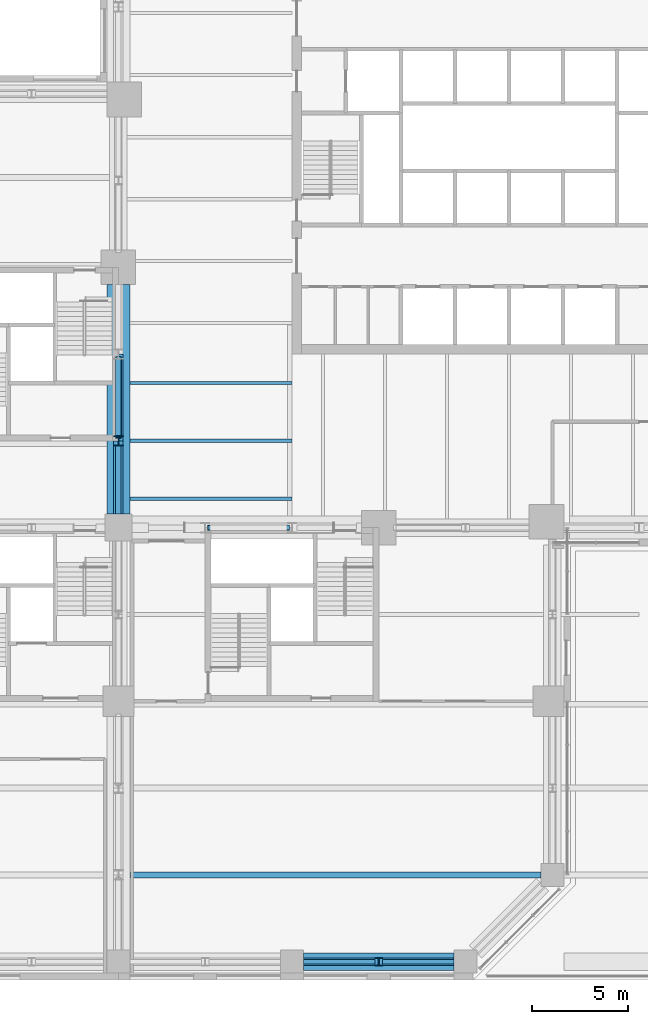
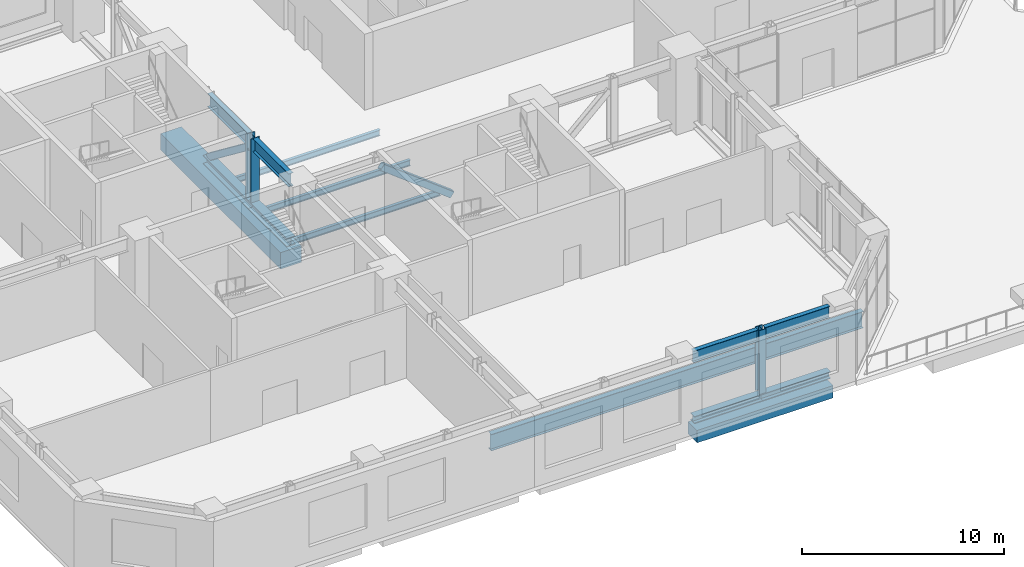
# One storey, part 3 of 21: 10 beams, 8 members.
"""IFC4 building model written with IfcOpenShell, lengths in metres."""

from ifc_helpers import new_model, si_unit, direction, frame, origin, origin_2d, place, context, subcontext, project, spatial, rectangle, hollow_rectangle, i_section, extrude, material, material_profile, profile_set, type_object, element, save


model = new_model("IFC4")

# Units and contexts
model_context = context("Model", 3, precision=1e-05, world=origin(), true_north=direction((0.0, 1.0)))
body_context = subcontext(model_context, "Body", "Model", "MODEL_VIEW")
ifc_project = project(units=[si_unit("LENGTHUNIT", "METRE"), si_unit("AREAUNIT", "SQUARE_METRE"), si_unit("VOLUMEUNIT", "CUBIC_METRE"), si_unit("PLANEANGLEUNIT", "RADIAN"), si_unit("MASSUNIT", "GRAM", prefix="KILO")], contexts=[model_context])

# Site, building, storey
site_placement = place(None, origin())
site = spatial("IfcSite", under=ifc_project, at=site_placement, CompositionType="ELEMENT")
building_placement = place(site_placement, origin())
building = spatial("IfcBuilding", under=site, at=building_placement, Name="Quoin Convention Tower", CompositionType="ELEMENT")
storey_placement = place(building_placement, frame((0.0, 0.0, 18.5)))
storey = spatial("IfcBuildingStorey", under=building, at=storey_placement, Name="L03", CompositionType="ELEMENT", Elevation=18.5)

# Beams
ifc_material_1 = material(Name="Steel Grade 300", Category="steel")
ifc_material_profile_1 = material_profile(ifc_material_1, i_section(OverallWidth=0.300048828125, OverallDepth=1.0, WebThickness=0.01611328125, FlangeThickness=0.02001953125, at=origin_2d()), Name="1000WB215")
ifc_profile_set_1 = profile_set([ifc_material_profile_1], Name="Steel Grade 300")
beam_type_1 = type_object("IfcBeamType", Name="1000WB215", PredefinedType="BEAM", material=ifc_profile_set_1)
beam_1_placement = place(storey_placement, frame((36.60009765625, 22.5, -0.719970703125), z_axis=(1.0, 0.0, 0.0), x_axis=(0.0, 1.0, 0.0)))
element("IfcBeam", 1, at=beam_1_placement, inside=storey, type_object=beam_type_1, Name="gir-L03-ST3-1-0", PredefinedType="BEAM", context=body_context, shape_type="SweptSolid", body=[
    extrude(i_section(OverallWidth=0.300048828125, OverallDepth=1.0, WebThickness=0.01611328125, FlangeThickness=0.02001953125, at=origin_2d()), origin(), (0.0, 0.0, 1.0), 21.2998046875),
])
ifc_material_profile_2 = material_profile(ifc_material_1, i_section(OverallWidth=0.1708984375, OverallDepth=0.35205078125, WebThickness=0.0068359375, FlangeThickness=0.009765625, FilletRadius=0.011474609375, at=origin_2d()), Name="360UB44.7")
ifc_profile_set_2 = profile_set([ifc_material_profile_2], Name="Steel Grade 300")
beam_type_2 = type_object("IfcBeamType", Name="360UB44.7", PredefinedType="BEAM", material=ifc_profile_set_2)
for number, where, z_axis, x_axis, name in (
    (2, (36.60009765625, 42.0, -0.39599609375), (1.0, 0.0, 0.0), (0.0, 1.0, 0.0), "bm-L03-T1SW0"),
    (3, (36.60009765625, 45.0, -0.39599609375), (1.0, 0.0, 0.0), (0.0, 1.0, 0.0), "bm-L03-T1SW1"),
    (4, (36.60009765625, 48.0, -0.39599609375), (1.0, 0.0, 0.0), (0.0, 1.0, 0.0), "bm-L03-T1SW2"),
):
    element("IfcBeam", number, at=place(storey_placement, frame(where, z_axis=z_axis, x_axis=x_axis)), inside=storey, type_object=beam_type_2, Name=name, PredefinedType="BEAM", context=body_context, shape_type="SweptSolid", body=[
        extrude(i_section(OverallWidth=0.1708984375, OverallDepth=0.35205078125, WebThickness=0.0068359375, FlangeThickness=0.009765625, FilletRadius=0.011474609375, at=origin_2d()), origin(), (0.0, 0.0, 1.0), 8.39990234375),
    ])

# Members
ifc_material_profile_3 = material_profile(ifc_material_1, i_section(OverallWidth=0.39990234375, OverallDepth=0.422119140625, WebThickness=0.028076171875, FlangeThickness=0.035888671875, at=origin_2d()), Name="400WC303")
ifc_profile_set_3 = profile_set([ifc_material_profile_3], Name="Steel Grade 300")
member_type_1 = type_object("IfcMemberType", Name="400WC303", PredefinedType="CHORD", material=ifc_profile_set_3)
for number, where, z_axis, x_axis, name in (
    (5, (45.60009765625, 18.0, 0.257080078125), (1.0, 0.0, 0.0), (0.0, 1.0, 0.0), "Transfer girder L03 bottom chord 45000_18000-49500_18000"),
    (6, (49.5, 18.0, 0.257080078125), (1.0, 0.0, 0.0), (0.0, 1.0, 0.0), "Transfer girder L03 bottom chord 49500_18000-54000_18000"),
):
    element("IfcMember", number, at=place(storey_placement, frame(where, z_axis=z_axis, x_axis=x_axis)), inside=storey, type_object=member_type_1, Name=name, PredefinedType="CHORD", context=body_context, shape_type="SweptSolid", body=[
        extrude(i_section(OverallWidth=0.39990234375, OverallDepth=0.422119140625, WebThickness=0.028076171875, FlangeThickness=0.035888671875, at=origin_2d()), origin(), (0.0, 0.0, 1.0), 3.89990234375),
    ])
ifc_material_profile_4 = material_profile(ifc_material_1, i_section(OverallWidth=0.39990234375, OverallDepth=0.422119140625, WebThickness=0.028076171875, FlangeThickness=0.035888671875, at=origin_2d()), Name="400WC303")
ifc_profile_set_4 = profile_set([ifc_material_profile_4], Name="Steel Grade 300")
member_type_2 = type_object("IfcMemberType", Name="400WC303 transfer post", PredefinedType="POST", material=ifc_profile_set_4)
member_1_placement = place(storey_placement, frame((49.5, 18.0, 0.513916015625), z_axis=(0.0, 0.0, 1.0), x_axis=(1.0, 0.0, 0.0)))
element("IfcMember", 7, at=member_1_placement, inside=storey, type_object=member_type_2, Name="Transfer girder L03 post 49500_18000", PredefinedType="POST", context=body_context, shape_type="SweptSolid", body=[
    extrude(i_section(OverallWidth=0.39990234375, OverallDepth=0.422119140625, WebThickness=0.028076171875, FlangeThickness=0.035888671875, at=origin_2d()), origin(), (0.0, 0.0, 1.0), 3.865966796875),
])
ifc_material_2 = material(Name="Steel C450L0", Category="steel")
ifc_material_profile_5 = material_profile(ifc_material_2, hollow_rectangle(XDim=0.300048828125, YDim=0.39990234375, WallThickness=0.01611328125, InnerFilletRadius=0.02392578125, OuterFilletRadius=0.0400390625, at=origin_2d()), Name="400x300x16.0RHS")
ifc_profile_set_5 = profile_set([ifc_material_profile_5], Name="Steel C450L0")
member_type_3 = type_object("IfcMemberType", Name="400x300x16.0RHS", PredefinedType="BRACE", material=ifc_profile_set_5)
for number, where, z_axis, x_axis, name in (
    (8, (44.75, 40.5, 0.513916015625), (-0.79365469793, 0.0, 0.60836849068), (0.0, -1.0, 0.0), "Transfer truss L03 diagonal 40500_40500-45000_40500"),
    (9, (36.0, 49.25, 0.513916015625), (0.0, -0.79365469793, 0.60836849068), (1.0, 0.0, 0.0), "Transfer truss L03 diagonal 36000_45000-36000_49500"),
):
    element("IfcMember", number, at=place(storey_placement, frame(where, z_axis=z_axis, x_axis=x_axis)), inside=storey, type_object=member_type_3, Name=name, PredefinedType="BRACE", context=body_context, shape_type="SweptSolid", body=[
        extrude(hollow_rectangle(XDim=0.300048828125, YDim=0.39990234375, WallThickness=0.01611328125, InnerFilletRadius=0.02392578125, OuterFilletRadius=0.0400390625, at=origin_2d()), origin(), (0.0, 0.0, 1.0), 5.0400390625),
    ])
ifc_material_profile_6 = material_profile(ifc_material_1, i_section(OverallWidth=0.5, OverallDepth=0.513916015625, WebThickness=0.02490234375, FlangeThickness=0.031982421875, at=origin_2d()), Name="500WC340")
ifc_profile_set_6 = profile_set([ifc_material_profile_6], Name="Steel Grade 300")
member_type_4 = type_object("IfcMemberType", Name="500WC340", PredefinedType="CHORD", material=ifc_profile_set_6)
member_2_placement = place(storey_placement, frame((36.0, 41.199951171875, 0.257080078125), z_axis=(0.0, 1.0, 0.0), x_axis=(-1.0, 0.0, 0.0)))
element("IfcMember", 10, at=member_2_placement, inside=storey, type_object=member_type_4, Name="Transfer truss L03 bottom chord 36000_40500-36000_45000", PredefinedType="CHORD", context=body_context, shape_type="SweptSolid", body=[
    extrude(i_section(OverallWidth=0.5, OverallDepth=0.513916015625, WebThickness=0.02490234375, FlangeThickness=0.031982421875, at=origin_2d()), origin(), (0.0, 0.0, 1.0), 3.800048828125),
])
member_3_placement = place(storey_placement, frame((36.0, 45.0, 0.257080078125), z_axis=(0.0, 1.0, 0.0), x_axis=(-1.0, 0.0, 0.0)))
element("IfcMember", 11, at=member_3_placement, inside=storey, type_object=member_type_4, Name="Transfer truss L03 bottom chord 36000_45000-36000_49500", PredefinedType="CHORD", context=body_context, shape_type="SweptSolid", body=[
    extrude(i_section(OverallWidth=0.5, OverallDepth=0.513916015625, WebThickness=0.02490234375, FlangeThickness=0.031982421875, at=origin_2d()), origin(), (0.0, 0.0, 1.0), 4.5),
])
ifc_material_profile_7 = material_profile(ifc_material_1, i_section(OverallWidth=0.5, OverallDepth=0.513916015625, WebThickness=0.02490234375, FlangeThickness=0.031982421875, at=origin_2d()), Name="500WC340")
ifc_profile_set_7 = profile_set([ifc_material_profile_7], Name="Steel Grade 300")
member_type_5 = type_object("IfcMemberType", Name="500WC340 transfer post", PredefinedType="POST", material=ifc_profile_set_7)
member_4_placement = place(storey_placement, frame((36.0, 45.0, 0.513916015625), z_axis=(0.0, 0.0, 1.0), x_axis=(1.0, 0.0, 0.0)))
element("IfcMember", 12, at=member_4_placement, inside=storey, type_object=member_type_5, Name="Transfer truss L03 post 36000_45000", PredefinedType="POST", context=body_context, shape_type="SweptSolid", body=[
    extrude(i_section(OverallWidth=0.5, OverallDepth=0.513916015625, WebThickness=0.02490234375, FlangeThickness=0.031982421875, at=origin_2d()), origin(), (0.0, 0.0, 1.0), 3.865966796875),
])

# Beams
ifc_material_profile_8 = material_profile(ifc_material_1, i_section(OverallWidth=0.25, OverallDepth=0.699951171875, WebThickness=0.010009765625, FlangeThickness=0.02001953125, at=origin_2d()), Name="700WB130")
ifc_profile_set_8 = profile_set([ifc_material_profile_8], Name="Steel Grade 300")
beam_type_3 = type_object("IfcBeamType", Name="700WB130", PredefinedType="BEAM", material=ifc_profile_set_8)
for number, where, z_axis, x_axis, name in (
    (13, (45.60009765625, 18.0, 4.030029296875), (1.0, 0.0, 0.0), (0.0, 1.0, 0.0), "Transfer girder L03 top chord 45000_18000-49500_18000"),
    (14, (49.699951171875, 18.0, 4.030029296875), (1.0, 0.0, 0.0), (0.0, 1.0, 0.0), "Transfer girder L03 top chord 49500_18000-54000_18000"),
):
    element("IfcBeam", number, at=place(storey_placement, frame(where, z_axis=z_axis, x_axis=x_axis)), inside=storey, type_object=beam_type_3, Name=name, PredefinedType="BEAM", context=body_context, shape_type="SweptSolid", body=[
        extrude(i_section(OverallWidth=0.25, OverallDepth=0.699951171875, WebThickness=0.010009765625, FlangeThickness=0.02001953125, at=origin_2d()), origin(), (0.0, 0.0, 1.0), 3.699951171875),
    ])
ifc_material_profile_9 = material_profile(ifc_material_1, i_section(OverallWidth=0.27490234375, OverallDepth=0.800048828125, WebThickness=0.010009765625, FlangeThickness=0.02001953125, at=origin_2d()), Name="800WB146")
ifc_profile_set_9 = profile_set([ifc_material_profile_9], Name="Steel Grade 300")
beam_type_4 = type_object("IfcBeamType", Name="800WB146", PredefinedType="BEAM", material=ifc_profile_set_9)
beam_2_placement = place(storey_placement, frame((36.0, 41.199951171875, 3.97998046875), z_axis=(0.0, 1.0, 0.0), x_axis=(-1.0, 0.0, 0.0)))
element("IfcBeam", 15, at=beam_2_placement, inside=storey, type_object=beam_type_4, Name="Transfer truss L03 top chord 36000_40500-36000_45000", PredefinedType="BEAM", context=body_context, shape_type="SweptSolid", body=[
    extrude(i_section(OverallWidth=0.27490234375, OverallDepth=0.800048828125, WebThickness=0.010009765625, FlangeThickness=0.02001953125, at=origin_2d()), origin(), (0.0, 0.0, 1.0), 3.550048828125),
])
beam_3_placement = place(storey_placement, frame((36.0, 45.25, 3.97998046875), z_axis=(0.0, 1.0, 0.0), x_axis=(-1.0, 0.0, 0.0)))
element("IfcBeam", 16, at=beam_3_placement, inside=storey, type_object=beam_type_4, Name="Transfer truss L03 top chord 36000_45000-36000_49500", PredefinedType="BEAM", context=body_context, shape_type="SweptSolid", body=[
    extrude(i_section(OverallWidth=0.27490234375, OverallDepth=0.800048828125, WebThickness=0.010009765625, FlangeThickness=0.02001953125, at=origin_2d()), origin(), (0.0, 0.0, 1.0), 4.0),
])
ifc_material_3 = material(Name="Concrete C80", Category="concrete")
ifc_material_profile_10 = material_profile(ifc_material_3, rectangle(XDim=1.199951171875, YDim=1.0, at=origin_2d()), Name="RC 1200x1000")
ifc_profile_set_10 = profile_set([ifc_material_profile_10], Name="Concrete C80")
beam_type_5 = type_object("IfcBeamType", Name="RC 1200x1000 C80", PredefinedType="SPANDREL", material=ifc_profile_set_10)
beam_4_placement = place(storey_placement, frame((36.0, 41.199951171875, -0.719970703125), z_axis=(0.0, 1.0, 0.0), x_axis=(-1.0, 0.0, 0.0)))
element("IfcBeam", 17, at=beam_4_placement, inside=storey, type_object=beam_type_5, Name="spd-L03-36000_40500-36000_54000", PredefinedType="SPANDREL", context=body_context, shape_type="SweptSolid", body=[
    extrude(rectangle(XDim=1.199951171875, YDim=1.0, at=origin_2d()), origin(), (0.0, 0.0, 1.0), 11.900146484375),
])
ifc_material_profile_11 = material_profile(ifc_material_3, rectangle(XDim=0.89990234375, YDim=0.75, at=origin_2d()), Name="RC 900x750")
ifc_profile_set_11 = profile_set([ifc_material_profile_11], Name="Concrete C80")
beam_type_6 = type_object("IfcBeamType", Name="RC 900x750 C80", PredefinedType="SPANDREL", material=ifc_profile_set_11)
beam_5_placement = place(storey_placement, frame((45.60009765625, 18.0, -0.594970703125), z_axis=(1.0, 0.0, 0.0), x_axis=(0.0, 1.0, 0.0)))
element("IfcBeam", 18, at=beam_5_placement, inside=storey, type_object=beam_type_6, Name="spd-L03-45000_18000-54000_18000", PredefinedType="SPANDREL", context=body_context, shape_type="SweptSolid", body=[
    extrude(rectangle(XDim=0.89990234375, YDim=0.75, at=origin_2d()), origin(), (0.0, 0.0, 1.0), 7.7998046875),
])

save(model, "model.ifc")
